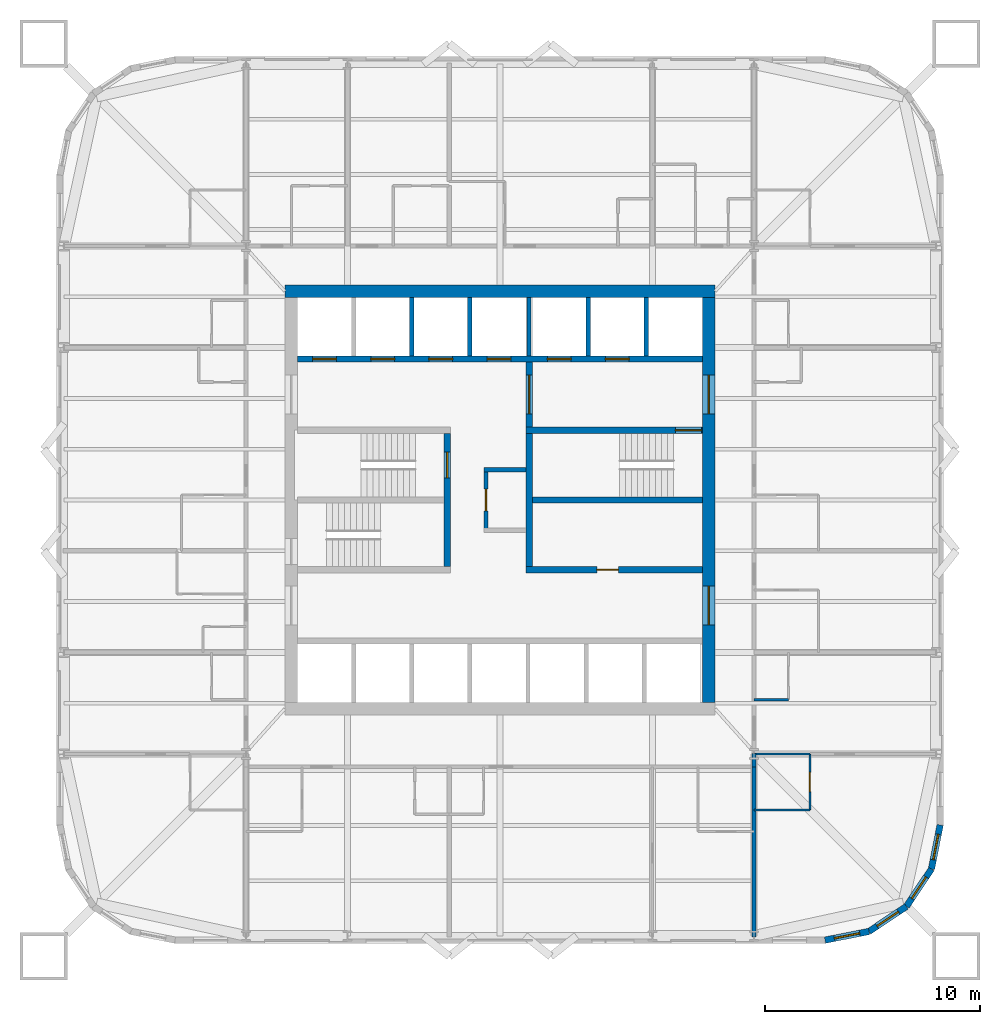
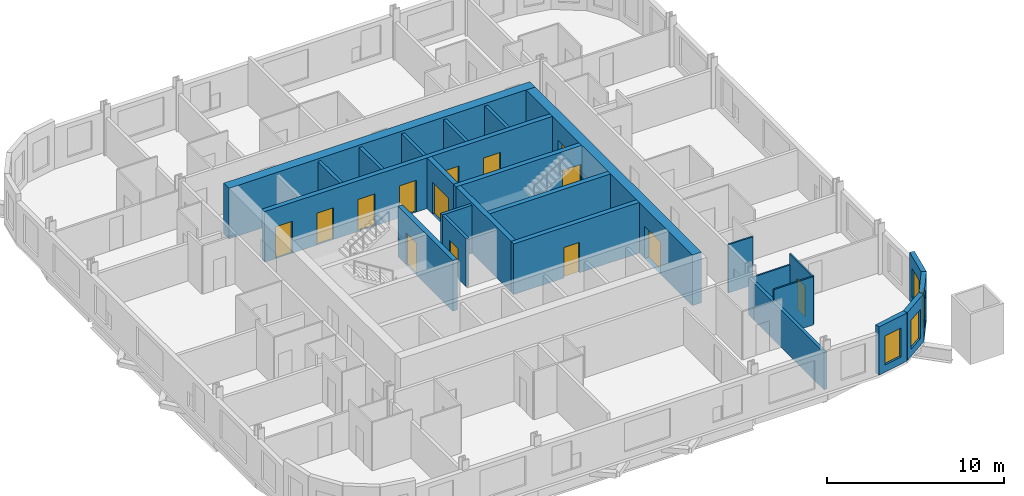
# One storey, part 5 of 9: 25 walls, 14 doors, 4 windows, 18 openings.
"""IFC4 building model written with IfcOpenShell, lengths in metres."""

import ifcopenshell
import ifcopenshell.guid

model = None  # the IFC model being written
_history = None  # IfcOwnerHistory: only IFC2X3 demands one
_inside = {}  # id of a spatial element -> (the spatial element, [elements in it])
_under = {}  # id of a project, library or spatial element -> (it, [spatial elements below it])
_declared = {}  # id of a project -> (the project, [libraries it declares])
_typed = {}  # id of a type object -> (the type object, [elements of that type])
_made_of = {}  # id of a material, layer set ... -> (it, [elements and type objects made of it])


def new_model(schema):
    """Start an empty IFC model of exactly this schema.

    Asked for "IFC4X3", IfcOpenShell would pick the latest addendum, in which some entities
    have other attributes; the version numbers below select the first issue.
    IFC2X3 requires an IfcOwnerHistory on every rooted entity: one is made here for all.
    """
    global model, _history
    if schema == "IFC4X3":
        model = ifcopenshell.file(schema_version=(4, 3, 0, 0))
    else:
        model = ifcopenshell.file(schema=schema)
    _inside.clear()
    _under.clear()
    _declared.clear()
    _typed.clear()
    _made_of.clear()
    _history = None
    if model.schema == "IFC2X3":
        org = make("IfcOrganization", Name="unknown")
        user = make(
            "IfcPersonAndOrganization",
            ThePerson=make("IfcPerson", FamilyName="unknown"),
            TheOrganization=org,
        )
        app = make(
            "IfcApplication",
            ApplicationDeveloper=org,
            Version="unknown",
            ApplicationFullName="unknown",
            ApplicationIdentifier="unknown",
        )
        _history = make(
            "IfcOwnerHistory",
            OwningUser=user,
            OwningApplication=app,
            ChangeAction="ADDED",
            CreationDate=0,
        )
    return model


def make(cls, **values):
    """One entity of the class cls with the attributes given. An attribute that is None is left unset."""
    return model.create_entity(
        cls, **{name: value for name, value in values.items() if value is not None}
    )


def rooted(cls, **values):
    """An entity with a GlobalId (a new one), such as an element, a storey or a relation."""
    return make(cls, GlobalId=ifcopenshell.guid.new(), OwnerHistory=_history, **values)


def si_unit(unit_type, name, prefix=None):
    """IfcSIUnit, for example si_unit("LENGTHUNIT", "METRE", prefix="MILLI")."""
    return make("IfcSIUnit", UnitType=unit_type, Prefix=prefix, Name=name)


def assignment(units):
    """IfcUnitAssignment: the units of a project."""
    return None if units is None else make("IfcUnitAssignment", Units=units)


def point(xyz):
    """IfcCartesianPoint."""
    return None if xyz is None else make("IfcCartesianPoint", Coordinates=xyz)


def direction(xyz):
    """IfcDirection."""
    return None if xyz is None else make("IfcDirection", DirectionRatios=xyz)


def frame(location, z_axis=None, x_axis=None):
    """IfcAxis2Placement3D, a coordinate frame: its origin and axes. An axis left out is left unset."""
    return make(
        "IfcAxis2Placement3D",
        Location=point(location),
        Axis=direction(z_axis),
        RefDirection=direction(x_axis),
    )


def frame_2d(location, x_axis=None):
    """IfcAxis2Placement2D, a coordinate frame in the plane: its origin and x axis."""
    return make(
        "IfcAxis2Placement2D", Location=point(location), RefDirection=direction(x_axis)
    )


def origin():
    """The frame at (0, 0, 0) with its axes left unset."""
    return frame((0.0, 0.0, 0.0))


def place(relative_to, where):
    """IfcLocalPlacement: puts the frame where relative to a parent placement (None: the world)."""
    return make(
        "IfcLocalPlacement", PlacementRelTo=relative_to, RelativePlacement=where
    )


def context(
    kind, dimensions, precision=None, world=None, true_north=None, identifier=None
):
    """IfcGeometricRepresentationContext, for example the 3D "Model" context."""
    return make(
        "IfcGeometricRepresentationContext",
        ContextIdentifier=identifier,
        ContextType=kind,
        CoordinateSpaceDimension=dimensions,
        Precision=precision,
        WorldCoordinateSystem=world,
        TrueNorth=true_north,
    )


def subcontext(parent, identifier, kind, view, scale=None):
    """IfcGeometricRepresentationSubContext, for example "Body" below "Model"."""
    return make(
        "IfcGeometricRepresentationSubContext",
        ContextIdentifier=identifier,
        ContextType=kind,
        ParentContext=parent,
        TargetScale=scale,
        TargetView=view,
    )


def project(units=None, contexts=None):
    """IfcProject with its units and contexts."""
    return rooted(
        "IfcProject",
        Name="project",
        RepresentationContexts=contexts,
        UnitsInContext=assignment(units),
    )


def spatial(cls, under=None, at=None, **own):
    """A site, building, storey or space (cls), placed at a placement, below another one or the project."""
    s = rooted(cls, ObjectPlacement=at, **own)
    if under is not None:
        _under.setdefault(under.id(), (under, []))[1].append(s)
    return s


def profile(cls, at=None, kind="AREA", **sizes):
    """A parametric profile (cls). Its sizes go by their IFC names, for example OverallWidth=200.0."""
    return make(cls, ProfileType=kind, Position=at, **sizes)


def rectangle(**sizes):
    """IfcRectangleProfileDef."""
    return profile("IfcRectangleProfileDef", **sizes)


def extrude(swept, where, along, depth):
    """IfcExtrudedAreaSolid: the profile swept, set in the frame where, extruded along a direction by depth."""
    return make(
        "IfcExtrudedAreaSolid",
        SweptArea=swept,
        Position=where,
        ExtrudedDirection=direction(along),
        Depth=depth,
    )


def shape(context_of_items, identifier, shape_type, items):
    """IfcShapeRepresentation: the items that make up one representation, for example the "Body"."""
    return make(
        "IfcShapeRepresentation",
        ContextOfItems=context_of_items,
        RepresentationIdentifier=identifier,
        RepresentationType=shape_type,
        Items=items,
    )


def material(Name=None, Category=None):
    """IfcMaterial."""
    return make("IfcMaterial", Name=Name, Category=Category)


def layer(
    of_material, thickness, ventilated=None, Name=None, Category=None, Priority=None
):
    """IfcMaterialLayer: one layer of a wall or slab, of a material (None: an air gap)."""
    return make(
        "IfcMaterialLayer",
        Material=of_material,
        LayerThickness=thickness,
        IsVentilated=ventilated,
        Name=Name,
        Category=Category,
        Priority=Priority,
    )


def layer_set(layers, Name=None):
    """IfcMaterialLayerSet."""
    return make("IfcMaterialLayerSet", MaterialLayers=layers, LayerSetName=Name)


def made_of(thing, what):
    """Note that an element or type object is made of a material, layer set ...; save() writes the relation."""
    if what is not None:
        _made_of.setdefault(what.id(), (what, []))[1].append(thing)
    return thing


def type_object(cls, material=None, **own):
    """A type object (cls), such as IfcWallType, which elements share."""
    return made_of(rooted(cls, **own), material)


def element(
    cls,
    number,
    at=None,
    inside=None,
    cuts=None,
    type_object=None,
    material=None,
    context=None,
    identifier="Body",
    shape_type=None,
    held_by="IfcProductDefinitionShape",
    body=None,
    shapes=None,
    **own,
):
    """One element of the class cls, such as IfcWall. Its Tag is "e" and its number.

    at: its placement. inside: the storey or other place that contains it. cuts: it is an
    opening in that element (IfcRelVoidsElement). A single representation is given by context,
    identifier, shape_type and body (its items); several are given by shapes. held_by: the class
    of the entity that holds the representations. save() writes the other relations.
    """
    e = rooted(cls, Tag="e%d" % number, ObjectPlacement=at, **own)
    if body is not None:
        shapes = [shape(context, identifier, shape_type, body)]
    if shapes is not None:
        e.Representation = make(held_by, Representations=shapes)
    if inside is not None:
        _inside.setdefault(inside.id(), (inside, []))[1].append(e)
    if cuts is not None:
        rooted(
            "IfcRelVoidsElement", RelatingBuildingElement=cuts, RelatedOpeningElement=e
        )
    if type_object is not None:
        _typed.setdefault(type_object.id(), (type_object, []))[1].append(e)
    return made_of(e, material)


def fill(opening, filler):
    """IfcRelFillsElement: the door or window that sits in an opening."""
    return rooted(
        "IfcRelFillsElement",
        RelatingOpeningElement=opening,
        RelatedBuildingElement=filler,
    )


def aggregate(whole, parts):
    """IfcRelAggregates: a whole, such as a stair, and the parts it consists of."""
    return rooted("IfcRelAggregates", RelatingObject=whole, RelatedObjects=parts)


def save(model, path):
    """Write the relations noted so far, then the file.

    IfcRelAggregates (storeys below a building ...), IfcRelContainedInSpatialStructure (elements
    in a storey), IfcRelDefinesByType, IfcRelAssociatesMaterial and IfcRelDeclares: one each for
    every whole, place, type object, material and project.
    """
    for whole, parts in _under.values():
        aggregate(whole, parts)
    for where, things in _inside.values():
        rooted(
            "IfcRelContainedInSpatialStructure",
            RelatedElements=things,
            RelatingStructure=where,
        )
    for kind, things in _typed.values():
        rooted("IfcRelDefinesByType", RelatedObjects=things, RelatingType=kind)
    for what, things in _made_of.values():
        rooted("IfcRelAssociatesMaterial", RelatedObjects=things, RelatingMaterial=what)
    for by, libraries in _declared.values():
        rooted("IfcRelDeclares", RelatingContext=by, RelatedDefinitions=libraries)
    model.write(path)


model = new_model("IFC4")

# Units and contexts
model_context = context("Model", 3, precision=1e-05, world=origin(), true_north=direction((0.0, 1.0)))
body_context = subcontext(model_context, "Body", "Model", "MODEL_VIEW")
ifc_project = project(units=[si_unit("LENGTHUNIT", "METRE"), si_unit("AREAUNIT", "SQUARE_METRE"), si_unit("VOLUMEUNIT", "CUBIC_METRE"), si_unit("PLANEANGLEUNIT", "RADIAN"), si_unit("MASSUNIT", "GRAM", prefix="KILO")], contexts=[model_context])

# Site, building, storey
site_placement = place(None, origin())
site = spatial("IfcSite", under=ifc_project, at=site_placement, CompositionType="ELEMENT")
building_placement = place(site_placement, origin())
building = spatial("IfcBuilding", under=site, at=building_placement, Name="Turquesa Mirador Hotel Tower", CompositionType="ELEMENT")
storey_placement = place(building_placement, frame((0.0, 0.0, 128.39990234375)))
storey = spatial("IfcBuildingStorey", under=building, at=storey_placement, Name="L34", CompositionType="ELEMENT", Elevation=128.39990234375)

# Walls
ifc_material_1 = material(Name="Gypsum board on steel studs", Category="steel")
ifc_layer_1 = layer(ifc_material_1, 0.10009765625)
ifc_layer_set_1 = layer_set([ifc_layer_1], Name="BATHROOM WALL 100")
wall_type_1 = type_object("IfcWallType", Name="BATHROOM WALL 100", PredefinedType="PARTITIONING", material=ifc_layer_set_1)
wall_1_placement = place(storey_placement, frame((66.800048828125, 33.199951171875, 0.0), z_axis=(0.0, 0.0, 1.0), x_axis=(1.0, 0.0, 0.0)))
element("IfcWall", 1, at=wall_1_placement, inside=storey, type_object=wall_type_1, Name="Partition L34 002", PredefinedType="PARTITIONING", context=body_context, shape_type="SweptSolid", body=[
    extrude(rectangle(XDim=2.599853515625, YDim=0.10009765625, at=frame_2d((1.2998046875, 0.0))), origin(), (0.0, 0.0, 1.0), 2.5732421875),
])
wall_2_placement = place(storey_placement, frame((66.800048828125, 30.60009765625, 0.0), z_axis=(0.0, 0.0, 1.0), x_axis=(1.0, 0.0, 0.0)))
element("IfcWall", 2, at=wall_2_placement, inside=storey, type_object=wall_type_1, Name="Partition L34 007", PredefinedType="PARTITIONING", context=body_context, shape_type="SweptSolid", body=[
    extrude(rectangle(XDim=2.599853515625, YDim=0.10009765625, at=frame_2d((1.2998046875, 0.0))), origin(), (0.0, 0.0, 1.0), 3.330078125),
])
wall_3_placement = place(storey_placement, frame((66.800048828125, 35.719970703125, 0.0), z_axis=(0.0, 0.0, 1.0), x_axis=(1.0, 0.0, 0.0)))
element("IfcWall", 3, at=wall_3_placement, inside=storey, type_object=wall_type_1, Name="Partition L34 021", PredefinedType="PARTITIONING", context=body_context, shape_type="SweptSolid", body=[
    extrude(rectangle(XDim=1.599853515625, YDim=0.10009765625, at=frame_2d((0.7998046875, 0.0))), origin(), (0.0, 0.0, 1.0), 3.330078125),
])

# Wall, opening, door
wall_4_placement = place(storey_placement, frame((69.39990234375, 30.60009765625, 0.0), z_axis=(0.0, 0.0, 1.0), x_axis=(0.0, 1.0, 0.0)))
wall_4 = element("IfcWall", 4, at=wall_4_placement, inside=storey, type_object=wall_type_1, Name="Partition L34 071", PredefinedType="PARTITIONING", context=body_context, shape_type="SweptSolid", body=[
    extrude(rectangle(XDim=2.599853515625, YDim=0.10009765625, at=frame_2d((1.2998046875, 0.0))), origin(), (0.0, 0.0, 1.0), 3.330078125),
])
opening_1_placement = place(wall_4_placement, frame((0.85009765625, 0.0, 0.0)))
opening_1 = element("IfcOpeningElement", 5, at=opening_1_placement, cuts=wall_4, Name="Opening D02", PredefinedType="OPENING", context=body_context, shape_type="SweptSolid", body=[
    extrude(rectangle(XDim=0.89990234375, YDim=2.10009765625, at=frame_2d((0.449951171875, 1.050048828125))), frame((0.0, 0.06005859375, 0.0), z_axis=(0.0, -1.0, 0.0), x_axis=(1.0, 0.0, 0.0)), (0.0, 0.0, 1.0), 0.1201171875),
])
ifc_material_2 = material(Name="Timber veneered door", Category="wood")
door_type_1 = type_object("IfcDoorType", Name="DOOR 900X2100 EN-SUITE", OperationType="SINGLE_SWING_RIGHT", PredefinedType="DOOR", material=ifc_material_2)
door_1_placement = place(opening_1_placement, origin())
door_1 = element("IfcDoor", 6, at=door_1_placement, inside=storey, type_object=door_type_1, Name="Door 3414B", OperationType="SINGLE_SWING_RIGHT", OverallHeight=2.10009765625, OverallWidth=0.89990234375, PredefinedType="DOOR", context=body_context, shape_type="SweptSolid", body=[
    extrude(rectangle(XDim=0.89990234375, YDim=2.10009765625, at=frame_2d((0.449951171875, 1.050048828125))), frame((0.0, 0.02490234375, 0.0), z_axis=(0.0, -1.0, 0.0), x_axis=(1.0, 0.0, 0.0)), (0.0, 0.0, 1.0), 0.050048828125),
])
fill(opening_1, door_1)

# Wall, openings, doors
ifc_material_3 = material(Name="Concrete C50/60", Category="concrete")
ifc_layer_2 = layer(ifc_material_3, 0.300048828125)
ifc_layer_set_2 = layer_set([ifc_layer_2], Name="CORE INNER WALL 300")
wall_type_2 = type_object("IfcWallType", Name="CORE INNER WALL 300", PredefinedType="SHEAR", material=ifc_layer_set_2)
wall_5_placement = place(storey_placement, frame((45.60009765625, 51.550048828125, 0.0), z_axis=(0.0, 0.0, 1.0), x_axis=(1.0, 0.0, 0.0)))
wall_5 = element("IfcWall", 7, at=wall_5_placement, inside=storey, type_object=wall_type_2, Name="Core wall NL", PredefinedType="SHEAR", context=body_context, shape_type="SweptSolid", body=[
    extrude(rectangle(XDim=18.7998046875, YDim=0.300048828125, at=frame_2d((9.39990234375, 0.0))), origin(), (0.0, 0.0, 1.0), 3.5),
])
opening_2_placement = place(wall_5_placement, frame((0.699951171875, 0.0, 0.0)))
opening_2 = element("IfcOpeningElement", 8, at=opening_2_placement, cuts=wall_5, Name="Opening LD", PredefinedType="OPENING", context=body_context, shape_type="SweptSolid", body=[
    extrude(rectangle(XDim=1.10009765625, YDim=2.199951171875, at=frame_2d((0.550048828125, 1.10009765625))), frame((0.0, 0.159912109375, 0.0), z_axis=(0.0, -1.0, 0.0), x_axis=(1.0, 0.0, 0.0)), (0.0, 0.0, 1.0), 0.320068359375),
])
opening_3_placement = place(wall_5_placement, frame((3.39990234375, 0.0, 0.0)))
opening_3 = element("IfcOpeningElement", 9, at=opening_3_placement, cuts=wall_5, Name="Opening LD", PredefinedType="OPENING", context=body_context, shape_type="SweptSolid", body=[
    extrude(rectangle(XDim=1.10009765625, YDim=2.199951171875, at=frame_2d((0.550048828125, 1.10009765625))), frame((0.0, 0.159912109375, 0.0), z_axis=(0.0, -1.0, 0.0), x_axis=(1.0, 0.0, 0.0)), (0.0, 0.0, 1.0), 0.320068359375),
])
opening_4_placement = place(wall_5_placement, frame((6.10009765625, 0.0, 0.0)))
opening_4 = element("IfcOpeningElement", 10, at=opening_4_placement, cuts=wall_5, Name="Opening LD", PredefinedType="OPENING", context=body_context, shape_type="SweptSolid", body=[
    extrude(rectangle(XDim=1.10009765625, YDim=2.199951171875, at=frame_2d((0.550048828125, 1.10009765625))), frame((0.0, 0.159912109375, 0.0), z_axis=(0.0, -1.0, 0.0), x_axis=(1.0, 0.0, 0.0)), (0.0, 0.0, 1.0), 0.320068359375),
])
opening_5_placement = place(wall_5_placement, frame((8.800048828125, 0.0, 0.0)))
opening_5 = element("IfcOpeningElement", 11, at=opening_5_placement, cuts=wall_5, Name="Opening LD", PredefinedType="OPENING", context=body_context, shape_type="SweptSolid", body=[
    extrude(rectangle(XDim=1.10009765625, YDim=2.199951171875, at=frame_2d((0.550048828125, 1.10009765625))), frame((0.0, 0.159912109375, 0.0), z_axis=(0.0, -1.0, 0.0), x_axis=(1.0, 0.0, 0.0)), (0.0, 0.0, 1.0), 0.320068359375),
])
opening_6_placement = place(wall_5_placement, frame((11.60009765625, 0.0, 0.0)))
opening_6 = element("IfcOpeningElement", 12, at=opening_6_placement, cuts=wall_5, Name="Opening LD", PredefinedType="OPENING", context=body_context, shape_type="SweptSolid", body=[
    extrude(rectangle(XDim=1.10009765625, YDim=2.199951171875, at=frame_2d((0.550048828125, 1.10009765625))), frame((0.0, 0.159912109375, 0.0), z_axis=(0.0, -1.0, 0.0), x_axis=(1.0, 0.0, 0.0)), (0.0, 0.0, 1.0), 0.320068359375),
])
opening_7_placement = place(wall_5_placement, frame((14.300048828125, 0.0, 0.0)))
opening_7 = element("IfcOpeningElement", 13, at=opening_7_placement, cuts=wall_5, Name="Opening LD", PredefinedType="OPENING", context=body_context, shape_type="SweptSolid", body=[
    extrude(rectangle(XDim=1.10009765625, YDim=2.199951171875, at=frame_2d((0.550048828125, 1.10009765625))), frame((0.0, 0.159912109375, 0.0), z_axis=(0.0, -1.0, 0.0), x_axis=(1.0, 0.0, 0.0)), (0.0, 0.0, 1.0), 0.320068359375),
])
ifc_material_4 = material(Name="Stainless steel lift landing door", Category="steel")
door_type_2 = type_object("IfcDoorType", Name="LIFT LANDING DOOR 1100X2200", OperationType="SLIDING_TO_LEFT", PredefinedType="DOOR", material=ifc_material_4)
door_2_placement = place(opening_2_placement, origin())
door_2 = element("IfcDoor", 14, at=door_2_placement, inside=storey, type_object=door_type_2, Name="Lift A1 landing door", OperationType="SLIDING_TO_LEFT", OverallHeight=2.199951171875, OverallWidth=1.10009765625, PredefinedType="DOOR", context=body_context, shape_type="SweptSolid", body=[
    extrude(rectangle(XDim=1.10009765625, YDim=2.199951171875, at=frame_2d((0.550048828125, 1.10009765625))), frame((0.0, 0.02490234375, 0.0), z_axis=(0.0, -1.0, 0.0), x_axis=(1.0, 0.0, 0.0)), (0.0, 0.0, 1.0), 0.050048828125),
])
fill(opening_2, door_2)
door_3_placement = place(opening_3_placement, origin())
door_3 = element("IfcDoor", 15, at=door_3_placement, inside=storey, type_object=door_type_2, Name="Lift A2 landing door", OperationType="SLIDING_TO_LEFT", OverallHeight=2.199951171875, OverallWidth=1.10009765625, PredefinedType="DOOR", context=body_context, shape_type="SweptSolid", body=[
    extrude(rectangle(XDim=1.10009765625, YDim=2.199951171875, at=frame_2d((0.550048828125, 1.10009765625))), frame((0.0, 0.02490234375, 0.0), z_axis=(0.0, -1.0, 0.0), x_axis=(1.0, 0.0, 0.0)), (0.0, 0.0, 1.0), 0.050048828125),
])
fill(opening_3, door_3)
door_4_placement = place(opening_4_placement, origin())
door_4 = element("IfcDoor", 16, at=door_4_placement, inside=storey, type_object=door_type_2, Name="Lift A3 landing door", OperationType="SLIDING_TO_LEFT", OverallHeight=2.199951171875, OverallWidth=1.10009765625, PredefinedType="DOOR", context=body_context, shape_type="SweptSolid", body=[
    extrude(rectangle(XDim=1.10009765625, YDim=2.199951171875, at=frame_2d((0.550048828125, 1.10009765625))), frame((0.0, 0.02490234375, 0.0), z_axis=(0.0, -1.0, 0.0), x_axis=(1.0, 0.0, 0.0)), (0.0, 0.0, 1.0), 0.050048828125),
])
fill(opening_4, door_4)
door_5_placement = place(opening_5_placement, origin())
door_5 = element("IfcDoor", 17, at=door_5_placement, inside=storey, type_object=door_type_2, Name="Lift A4 landing door", OperationType="SLIDING_TO_LEFT", OverallHeight=2.199951171875, OverallWidth=1.10009765625, PredefinedType="DOOR", context=body_context, shape_type="SweptSolid", body=[
    extrude(rectangle(XDim=1.10009765625, YDim=2.199951171875, at=frame_2d((0.550048828125, 1.10009765625))), frame((0.0, 0.02490234375, 0.0), z_axis=(0.0, -1.0, 0.0), x_axis=(1.0, 0.0, 0.0)), (0.0, 0.0, 1.0), 0.050048828125),
])
fill(opening_5, door_5)
door_6_placement = place(opening_6_placement, origin())
door_6 = element("IfcDoor", 18, at=door_6_placement, inside=storey, type_object=door_type_2, Name="Lift S1 landing door", OperationType="SLIDING_TO_LEFT", OverallHeight=2.199951171875, OverallWidth=1.10009765625, PredefinedType="DOOR", context=body_context, shape_type="SweptSolid", body=[
    extrude(rectangle(XDim=1.10009765625, YDim=2.199951171875, at=frame_2d((0.550048828125, 1.10009765625))), frame((0.0, 0.02490234375, 0.0), z_axis=(0.0, -1.0, 0.0), x_axis=(1.0, 0.0, 0.0)), (0.0, 0.0, 1.0), 0.050048828125),
])
fill(opening_6, door_6)
door_7_placement = place(opening_7_placement, origin())
door_7 = element("IfcDoor", 19, at=door_7_placement, inside=storey, type_object=door_type_2, Name="Lift S2 landing door", OperationType="SLIDING_TO_LEFT", OverallHeight=2.199951171875, OverallWidth=1.10009765625, PredefinedType="DOOR", context=body_context, shape_type="SweptSolid", body=[
    extrude(rectangle(XDim=1.10009765625, YDim=2.199951171875, at=frame_2d((0.550048828125, 1.10009765625))), frame((0.0, 0.02490234375, 0.0), z_axis=(0.0, -1.0, 0.0), x_axis=(1.0, 0.0, 0.0)), (0.0, 0.0, 1.0), 0.050048828125),
])
fill(opening_7, door_7)

# Wall, opening, door
wall_6_placement = place(storey_placement, frame((56.199951171875, 48.25, 0.0), z_axis=(0.0, 0.0, 1.0), x_axis=(1.0, 0.0, 0.0)))
wall_6 = element("IfcWall", 20, at=wall_6_placement, inside=storey, type_object=wall_type_2, Name="Core wall MN-E", PredefinedType="SHEAR", context=body_context, shape_type="SweptSolid", body=[
    extrude(rectangle(XDim=8.199951171875, YDim=0.300048828125, at=frame_2d((4.10009765625, 0.0))), origin(), (0.0, 0.0, 1.0), 3.5),
])
opening_8_placement = place(wall_6_placement, frame((6.949951171875, 0.0, 0.0)))
opening_8 = element("IfcOpeningElement", 21, at=opening_8_placement, cuts=wall_6, Name="Opening D03", PredefinedType="OPENING", context=body_context, shape_type="SweptSolid", body=[
    extrude(rectangle(XDim=1.199951171875, YDim=2.199951171875, at=frame_2d((0.60009765625, 1.10009765625))), frame((0.0, 0.159912109375, 0.0), z_axis=(0.0, -1.0, 0.0), x_axis=(1.0, 0.0, 0.0)), (0.0, 0.0, 1.0), 0.320068359375),
])
ifc_material_5 = material(Name="Steel fire door", Category="steel")
door_type_3 = type_object("IfcDoorType", Name="DOOR 1200X2200 STAIR", OperationType="SINGLE_SWING_LEFT", PredefinedType="DOOR", material=ifc_material_5)
door_8_placement = place(opening_8_placement, origin())
door_8 = element("IfcDoor", 22, at=door_8_placement, inside=storey, type_object=door_type_3, Name="Stair ST3 door", OperationType="SINGLE_SWING_LEFT", OverallHeight=2.199951171875, OverallWidth=1.199951171875, PredefinedType="DOOR", context=body_context, shape_type="SweptSolid", body=[
    extrude(rectangle(XDim=1.199951171875, YDim=2.199951171875, at=frame_2d((0.60009765625, 1.10009765625))), frame((0.0, 0.02490234375, 0.0), z_axis=(0.0, -1.0, 0.0), x_axis=(1.0, 0.0, 0.0)), (0.0, 0.0, 1.0), 0.050048828125),
])
fill(opening_8, door_8)

wall_7_placement = place(storey_placement, frame((56.199951171875, 41.75, 0.0), z_axis=(0.0, 0.0, 1.0), x_axis=(1.0, 0.0, 0.0)))
wall_7 = element("IfcWall", 23, at=wall_7_placement, inside=storey, type_object=wall_type_2, Name="Core wall MS-E", PredefinedType="SHEAR", context=body_context, shape_type="SweptSolid", body=[
    extrude(rectangle(XDim=8.199951171875, YDim=0.300048828125, at=frame_2d((4.10009765625, 0.0))), origin(), (0.0, 0.0, 1.0), 3.5),
])
opening_9_placement = place(wall_7_placement, frame((3.300048828125, 0.0, 0.0)))
opening_9 = element("IfcOpeningElement", 24, at=opening_9_placement, cuts=wall_7, Name="Opening D05", PredefinedType="OPENING", context=body_context, shape_type="SweptSolid", body=[
    extrude(rectangle(XDim=1.0, YDim=2.10009765625, at=frame_2d((0.5, 1.050048828125))), frame((0.0, 0.159912109375, 0.0), z_axis=(0.0, -1.0, 0.0), x_axis=(1.0, 0.0, 0.0)), (0.0, 0.0, 1.0), 0.320068359375),
])
ifc_material_6 = material(Name="Steel fire door", Category="steel")
door_type_4 = type_object("IfcDoorType", Name="DOOR 1000X2100 SERVICE", OperationType="SINGLE_SWING_LEFT", PredefinedType="DOOR", material=ifc_material_6)
door_9_placement = place(opening_9_placement, origin())
door_9 = element("IfcDoor", 25, at=door_9_placement, inside=storey, type_object=door_type_4, Name="Housekeeping room door", OperationType="SINGLE_SWING_LEFT", OverallHeight=2.10009765625, OverallWidth=1.0, PredefinedType="DOOR", context=body_context, shape_type="SweptSolid", body=[
    extrude(rectangle(XDim=1.0, YDim=2.10009765625, at=frame_2d((0.5, 1.050048828125))), frame((0.0, 0.02490234375, 0.0), z_axis=(0.0, -1.0, 0.0), x_axis=(1.0, 0.0, 0.0)), (0.0, 0.0, 1.0), 0.050048828125),
])
fill(opening_9, door_9)

wall_8_placement = place(storey_placement, frame((52.550048828125, 41.89990234375, 0.0), z_axis=(0.0, 0.0, 1.0), x_axis=(0.0, 1.0, 0.0)))
wall_8 = element("IfcWall", 26, at=wall_8_placement, inside=storey, type_object=wall_type_2, Name="Core wall PW", PredefinedType="SHEAR", context=body_context, shape_type="SweptSolid", body=[
    extrude(rectangle(XDim=6.2001953125, YDim=0.300048828125, at=frame_2d((3.10009765625, 0.0))), origin(), (0.0, 0.0, 1.0), 3.5),
])
opening_10_placement = place(wall_8_placement, frame((4.125, 0.0, 0.0)))
opening_10 = element("IfcOpeningElement", 27, at=opening_10_placement, cuts=wall_8, Name="Opening D03", PredefinedType="OPENING", context=body_context, shape_type="SweptSolid", body=[
    extrude(rectangle(XDim=1.199951171875, YDim=2.199951171875, at=frame_2d((0.60009765625, 1.10009765625))), frame((0.0, 0.159912109375, 0.0), z_axis=(0.0, -1.0, 0.0), x_axis=(1.0, 0.0, 0.0)), (0.0, 0.0, 1.0), 0.320068359375),
])
door_10_placement = place(opening_10_placement, origin())
door_10 = element("IfcDoor", 28, at=door_10_placement, inside=storey, type_object=door_type_3, Name="Stair ST1 door", OperationType="SINGLE_SWING_LEFT", OverallHeight=2.199951171875, OverallWidth=1.199951171875, PredefinedType="DOOR", context=body_context, shape_type="SweptSolid", body=[
    extrude(rectangle(XDim=1.199951171875, YDim=2.199951171875, at=frame_2d((0.60009765625, 1.10009765625))), frame((0.0, 0.02490234375, 0.0), z_axis=(0.0, -1.0, 0.0), x_axis=(1.0, 0.0, 0.0)), (0.0, 0.0, 1.0), 0.050048828125),
])
fill(opening_10, door_10)

wall_9_placement = place(storey_placement, frame((56.35009765625, 41.89990234375, 0.0), z_axis=(0.0, 0.0, 1.0), x_axis=(0.0, 1.0, 0.0)))
wall_9 = element("IfcWall", 29, at=wall_9_placement, inside=storey, type_object=wall_type_2, Name="Core wall PE", PredefinedType="SHEAR", context=body_context, shape_type="SweptSolid", body=[
    extrude(rectangle(XDim=9.5, YDim=0.300048828125, at=frame_2d((4.75, 0.0))), origin(), (0.0, 0.0, 1.0), 3.5),
])
opening_11_placement = place(wall_9_placement, frame((7.10009765625, 0.0, 0.0)))
opening_11 = element("IfcOpeningElement", 30, at=opening_11_placement, cuts=wall_9, Name="Opening D04", PredefinedType="OPENING", context=body_context, shape_type="SweptSolid", body=[
    extrude(rectangle(XDim=1.800048828125, YDim=2.199951171875, at=frame_2d((0.89990234375, 1.10009765625))), frame((0.0, 0.159912109375, 0.0), z_axis=(0.0, -1.0, 0.0), x_axis=(1.0, 0.0, 0.0)), (0.0, 0.0, 1.0), 0.320068359375),
])
ifc_material_7 = material(Name="Steel fire door pair", Category="steel")
door_type_5 = type_object("IfcDoorType", Name="DOOR 1800X2200 PAIR", OperationType="DOUBLE_DOOR_SINGLE_SWING", PredefinedType="DOOR", material=ifc_material_7)
door_11_placement = place(opening_11_placement, origin())
door_11 = element("IfcDoor", 31, at=door_11_placement, inside=storey, type_object=door_type_5, Name="Firefighting lobby inner door", OperationType="DOUBLE_DOOR_SINGLE_SWING", OverallHeight=2.199951171875, OverallWidth=1.800048828125, PredefinedType="DOOR", context=body_context, shape_type="SweptSolid", body=[
    extrude(rectangle(XDim=1.800048828125, YDim=2.199951171875, at=frame_2d((0.89990234375, 1.10009765625))), frame((0.0, 0.02490234375, 0.0), z_axis=(0.0, -1.0, 0.0), x_axis=(1.0, 0.0, 0.0)), (0.0, 0.0, 1.0), 0.050048828125),
])
fill(opening_11, door_11)

# Walls
wall_10_placement = place(storey_placement, frame((56.5, 45.0, 0.0), z_axis=(0.0, 0.0, 1.0), x_axis=(1.0, 0.0, 0.0)))
element("IfcWall", 32, at=wall_10_placement, inside=storey, type_object=wall_type_2, Name="Core wall M0-E", PredefinedType="SHEAR", context=body_context, shape_type="SweptSolid", body=[
    extrude(rectangle(XDim=7.89990234375, YDim=0.300048828125, at=frame_2d((3.949951171875, 0.0))), origin(), (0.0, 0.0, 1.0), 3.5),
])
ifc_material_8 = material(Name="Concrete C50/60", Category="concrete")
ifc_layer_3 = layer(ifc_material_8, 0.60009765625)
ifc_layer_set_3 = layer_set([ifc_layer_3], Name="CORE WALL 600")
wall_type_3 = type_object("IfcWallType", Name="CORE WALL 600", PredefinedType="SHEAR", material=ifc_layer_set_3)
wall_11_placement = place(storey_placement, frame((45.0, 54.699951171875, 0.0), z_axis=(0.0, 0.0, 1.0), x_axis=(1.0, 0.0, 0.0)))
element("IfcWall", 33, at=wall_11_placement, inside=storey, type_object=wall_type_3, Name="Core wall N", PredefinedType="SHEAR", context=body_context, shape_type="SweptSolid", body=[
    extrude(rectangle(XDim=20.0, YDim=0.60009765625, at=frame_2d((10.0, 0.0))), origin(), (0.0, 0.0, 1.0), 3.5),
])

# Wall, openings, doors
wall_12_placement = place(storey_placement, frame((64.699951171875, 35.60009765625, 0.0), z_axis=(0.0, 0.0, 1.0), x_axis=(0.0, 1.0, 0.0)))
wall_12 = element("IfcWall", 34, at=wall_12_placement, inside=storey, type_object=wall_type_3, Name="Core wall E", PredefinedType="SHEAR", context=body_context, shape_type="SweptSolid", body=[
    extrude(rectangle(XDim=18.7998046875, YDim=0.60009765625, at=frame_2d((9.39990234375, 0.0))), origin(), (0.0, 0.0, 1.0), 3.5),
])
opening_12_placement = place(wall_12_placement, frame((13.39990234375, 0.0, 0.0)))
opening_12 = element("IfcOpeningElement", 35, at=opening_12_placement, cuts=wall_12, Name="Opening D04", PredefinedType="OPENING", context=body_context, shape_type="SweptSolid", body=[
    extrude(rectangle(XDim=1.800048828125, YDim=2.199951171875, at=frame_2d((0.89990234375, 1.10009765625))), frame((0.0, 0.31005859375, 0.0), z_axis=(0.0, -1.0, 0.0), x_axis=(1.0, 0.0, 0.0)), (0.0, 0.0, 1.0), 0.6201171875),
])
opening_13_placement = place(wall_12_placement, frame((3.60009765625, 0.0, 0.0)))
opening_13 = element("IfcOpeningElement", 36, at=opening_13_placement, cuts=wall_12, Name="Opening D04", PredefinedType="OPENING", context=body_context, shape_type="SweptSolid", body=[
    extrude(rectangle(XDim=1.800048828125, YDim=2.199951171875, at=frame_2d((0.89990234375, 1.10009765625))), frame((0.0, 0.31005859375, 0.0), z_axis=(0.0, -1.0, 0.0), x_axis=(1.0, 0.0, 0.0)), (0.0, 0.0, 1.0), 0.6201171875),
])
door_12_placement = place(opening_12_placement, origin())
door_12 = element("IfcDoor", 37, at=door_12_placement, inside=storey, type_object=door_type_5, Name="Firefighting lobby door", OperationType="DOUBLE_DOOR_SINGLE_SWING", OverallHeight=2.199951171875, OverallWidth=1.800048828125, PredefinedType="DOOR", context=body_context, shape_type="SweptSolid", body=[
    extrude(rectangle(XDim=1.800048828125, YDim=2.199951171875, at=frame_2d((0.89990234375, 1.10009765625))), frame((0.0, 0.02490234375, 0.0), z_axis=(0.0, -1.0, 0.0), x_axis=(1.0, 0.0, 0.0)), (0.0, 0.0, 1.0), 0.050048828125),
])
fill(opening_12, door_12)
door_13_placement = place(opening_13_placement, origin())
door_13 = element("IfcDoor", 38, at=door_13_placement, inside=storey, type_object=door_type_5, Name="South lift lobby door", OperationType="DOUBLE_DOOR_SINGLE_SWING", OverallHeight=2.199951171875, OverallWidth=1.800048828125, PredefinedType="DOOR", context=body_context, shape_type="SweptSolid", body=[
    extrude(rectangle(XDim=1.800048828125, YDim=2.199951171875, at=frame_2d((0.89990234375, 1.10009765625))), frame((0.0, 0.02490234375, 0.0), z_axis=(0.0, -1.0, 0.0), x_axis=(1.0, 0.0, 0.0)), (0.0, 0.0, 1.0), 0.050048828125),
])
fill(opening_13, door_13)

# Wall
ifc_material_9 = material(Name="Fire-rated gypsum board on steel studs", Category="steel")
ifc_layer_4 = layer(ifc_material_9, 0.199951171875)
ifc_layer_set_4 = layer_set([ifc_layer_4], Name="CORRIDOR WALL 200")
wall_type_4 = type_object("IfcWallType", Name="CORRIDOR WALL 200", PredefinedType="PARTITIONING", material=ifc_layer_set_4)
wall_13_placement = place(storey_placement, frame((66.800048828125, 32.60009765625, 0.0), z_axis=(0.0, 0.0, 1.0), x_axis=(0.0, 1.0, 0.0)))
element("IfcWall", 39, at=wall_13_placement, inside=storey, type_object=wall_type_4, Name="Partition L34 081", PredefinedType="PARTITIONING", context=body_context, shape_type="SweptSolid", body=[
    extrude(rectangle(XDim=0.619873046875, YDim=0.199951171875, at=frame_2d((0.31005859375, 0.0))), origin(), (0.0, 0.0, 1.0), 2.5732421875),
])

# Wall, opening, window
ifc_material_10 = material(Name="Limestone cladding on concrete block", Category="masonry")
ifc_layer_5 = layer(ifc_material_10, 0.300048828125)
ifc_layer_set_5 = layer_set([ifc_layer_5], Name="FACADE WALL 300 STONE SCREEN")
wall_type_5 = type_object("IfcWallType", Name="FACADE WALL 300 STONE SCREEN", PredefinedType="SOLIDWALL", material=ifc_layer_set_5)
wall_14_placement = place(storey_placement, frame((70.10009765625, 24.550048828125, 0.0), z_axis=(0.0, 0.0, 1.0), x_axis=(0.980787050784, 0.195081421501, 0.0)))
wall_14 = element("IfcWall", 40, at=wall_14_placement, inside=storey, type_object=wall_type_5, Name="Facade wall L34 00", PredefinedType="SOLIDWALL", context=body_context, shape_type="SweptSolid", body=[
    extrude(rectangle(XDim=2.08740234375, YDim=0.300048828125, at=frame_2d((1.043701171875, 0.0))), origin(), (0.0, 0.0, 1.0), 3.330078125),
])
opening_14_placement = place(wall_14_placement, frame((0.443603515625, 0.0, 0.5)))
opening_14 = element("IfcOpeningElement", 41, at=opening_14_placement, cuts=wall_14, Name="Opening WN4", PredefinedType="OPENING", context=body_context, shape_type="SweptSolid", body=[
    extrude(rectangle(XDim=1.199951171875, YDim=2.0, at=frame_2d((0.60009765625, 1.0))), frame((0.0, 0.159912109375, 0.0), z_axis=(0.0, -1.0, 0.0), x_axis=(1.0, 0.0, 0.0)), (0.0, 0.0, 1.0), 0.320068359375),
])
ifc_material_11 = material(Name="Ceramic-fritted laminated glass", Category="glass")
window_type = type_object("IfcWindowType", Name="FRITTED CORNER WINDOW 1200X2000", PartitioningType="DOUBLE_PANEL_HORIZONTAL", PredefinedType="WINDOW", material=ifc_material_11)
window_1_placement = place(opening_14_placement, origin())
window_1 = element("IfcWindow", 42, at=window_1_placement, inside=storey, type_object=window_type, Name="Window L34", OverallHeight=2.0, OverallWidth=1.199951171875, PartitioningType="SINGLE_PANEL", PredefinedType="WINDOW", context=body_context, shape_type="SweptSolid", body=[
    extrude(rectangle(XDim=1.199951171875, YDim=2.0, at=frame_2d((0.60009765625, 1.0))), frame((0.0, 0.030029296875, 0.0), z_axis=(0.0, -1.0, 0.0), x_axis=(1.0, 0.0, 0.0)), (0.0, 0.0, 1.0), 0.06005859375),
])
fill(opening_14, window_1)

wall_15_placement = place(storey_placement, frame((72.1474609375, 24.957275390625, 0.0), z_axis=(0.0, 0.0, 1.0), x_axis=(0.831474039234, 0.555563607591, 0.0)))
wall_15 = element("IfcWall", 43, at=wall_15_placement, inside=storey, type_object=wall_type_5, Name="Facade wall L34 01", PredefinedType="SOLIDWALL", context=body_context, shape_type="SweptSolid", body=[
    extrude(rectangle(XDim=2.08740234375, YDim=0.300048828125, at=frame_2d((1.043701171875, 0.0))), origin(), (0.0, 0.0, 1.0), 3.330078125),
])
opening_15_placement = place(wall_15_placement, frame((0.443603515625, 0.0, 0.5)))
opening_15 = element("IfcOpeningElement", 44, at=opening_15_placement, cuts=wall_15, Name="Opening WN4", PredefinedType="OPENING", context=body_context, shape_type="SweptSolid", body=[
    extrude(rectangle(XDim=1.199951171875, YDim=2.0, at=frame_2d((0.60009765625, 1.0))), frame((0.0, 0.159912109375, 0.0), z_axis=(0.0, -1.0, 0.0), x_axis=(1.0, 0.0, 0.0)), (0.0, 0.0, 1.0), 0.320068359375),
])
window_2_placement = place(opening_15_placement, origin())
window_2 = element("IfcWindow", 45, at=window_2_placement, inside=storey, type_object=window_type, Name="Window L34", OverallHeight=2.0, OverallWidth=1.199951171875, PartitioningType="SINGLE_PANEL", PredefinedType="WINDOW", context=body_context, shape_type="SweptSolid", body=[
    extrude(rectangle(XDim=1.199951171875, YDim=2.0, at=frame_2d((0.60009765625, 1.0))), frame((0.0, 0.030029296875, 0.0), z_axis=(0.0, -1.0, 0.0), x_axis=(1.0, 0.0, 0.0)), (0.0, 0.0, 1.0), 0.06005859375),
])
fill(opening_15, window_2)

wall_16_placement = place(storey_placement, frame((73.883056640625, 26.116943359375, 0.0), z_axis=(0.0, 0.0, 1.0), x_axis=(0.555563607591, 0.831474039234, 0.0)))
wall_16 = element("IfcWall", 46, at=wall_16_placement, inside=storey, type_object=wall_type_5, Name="Facade wall L34 02", PredefinedType="SOLIDWALL", context=body_context, shape_type="SweptSolid", body=[
    extrude(rectangle(XDim=2.08740234375, YDim=0.300048828125, at=frame_2d((1.043701171875, 0.0))), origin(), (0.0, 0.0, 1.0), 3.330078125),
])
opening_16_placement = place(wall_16_placement, frame((0.443603515625, 0.0, 0.5)))
opening_16 = element("IfcOpeningElement", 47, at=opening_16_placement, cuts=wall_16, Name="Opening WN4", PredefinedType="OPENING", context=body_context, shape_type="SweptSolid", body=[
    extrude(rectangle(XDim=1.199951171875, YDim=2.0, at=frame_2d((0.60009765625, 1.0))), frame((0.0, 0.159912109375, 0.0), z_axis=(0.0, -1.0, 0.0), x_axis=(1.0, 0.0, 0.0)), (0.0, 0.0, 1.0), 0.320068359375),
])
window_3_placement = place(opening_16_placement, origin())
window_3 = element("IfcWindow", 48, at=window_3_placement, inside=storey, type_object=window_type, Name="Window L34", OverallHeight=2.0, OverallWidth=1.199951171875, PartitioningType="SINGLE_PANEL", PredefinedType="WINDOW", context=body_context, shape_type="SweptSolid", body=[
    extrude(rectangle(XDim=1.199951171875, YDim=2.0, at=frame_2d((0.60009765625, 1.0))), frame((0.0, 0.030029296875, 0.0), z_axis=(0.0, -1.0, 0.0), x_axis=(1.0, 0.0, 0.0)), (0.0, 0.0, 1.0), 0.06005859375),
])
fill(opening_16, window_3)

wall_17_placement = place(storey_placement, frame((75.042724609375, 27.8525390625, 0.0), z_axis=(0.0, 0.0, 1.0), x_axis=(0.195081421501, 0.980787050784, 0.0)))
wall_17 = element("IfcWall", 49, at=wall_17_placement, inside=storey, type_object=wall_type_5, Name="Facade wall L34 03", PredefinedType="SOLIDWALL", context=body_context, shape_type="SweptSolid", body=[
    extrude(rectangle(XDim=2.08740234375, YDim=0.300048828125, at=frame_2d((1.043701171875, 0.0))), origin(), (0.0, 0.0, 1.0), 3.330078125),
])
opening_17_placement = place(wall_17_placement, frame((0.443603515625, 0.0, 0.5)))
opening_17 = element("IfcOpeningElement", 50, at=opening_17_placement, cuts=wall_17, Name="Opening WN4", PredefinedType="OPENING", context=body_context, shape_type="SweptSolid", body=[
    extrude(rectangle(XDim=1.199951171875, YDim=2.0, at=frame_2d((0.60009765625, 1.0))), frame((0.0, 0.159912109375, 0.0), z_axis=(0.0, -1.0, 0.0), x_axis=(1.0, 0.0, 0.0)), (0.0, 0.0, 1.0), 0.320068359375),
])
window_4_placement = place(opening_17_placement, origin())
window_4 = element("IfcWindow", 51, at=window_4_placement, inside=storey, type_object=window_type, Name="Window L34", OverallHeight=2.0, OverallWidth=1.199951171875, PartitioningType="SINGLE_PANEL", PredefinedType="WINDOW", context=body_context, shape_type="SweptSolid", body=[
    extrude(rectangle(XDim=1.199951171875, YDim=2.0, at=frame_2d((0.60009765625, 1.0))), frame((0.0, 0.030029296875, 0.0), z_axis=(0.0, -1.0, 0.0), x_axis=(1.0, 0.0, 0.0)), (0.0, 0.0, 1.0), 0.06005859375),
])
fill(opening_17, window_4)

# Wall, opening, door
ifc_material_12 = material(Name="Fire-rated gypsum board on steel studs", Category="steel")
ifc_layer_6 = layer(ifc_material_12, 0.199951171875)
ifc_layer_set_6 = layer_set([ifc_layer_6], Name="FIRE PARTITION 200")
wall_type_6 = type_object("IfcWallType", Name="FIRE PARTITION 200", PredefinedType="PARTITIONING", material=ifc_layer_set_6)
wall_18_placement = place(storey_placement, frame((54.35009765625, 43.60009765625, 0.0), z_axis=(0.0, 0.0, 1.0), x_axis=(0.0, 1.0, 0.0)))
wall_18 = element("IfcWall", 52, at=wall_18_placement, inside=storey, type_object=wall_type_6, Name="Partition L34 VD W", PredefinedType="PARTITIONING", context=body_context, shape_type="SweptSolid", body=[
    extrude(rectangle(XDim=2.7998046875, YDim=0.199951171875, at=frame_2d((1.39990234375, 0.0))), origin(), (0.0, 0.0, 1.0), 3.330078125),
])
opening_18_placement = place(wall_18_placement, frame((0.89990234375, 0.0, 0.0)))
opening_18 = element("IfcOpeningElement", 53, at=opening_18_placement, cuts=wall_18, Name="Opening D05", PredefinedType="OPENING", context=body_context, shape_type="SweptSolid", body=[
    extrude(rectangle(XDim=1.0, YDim=2.10009765625, at=frame_2d((0.5, 1.050048828125))), frame((0.0, 0.10986328125, 0.0), z_axis=(0.0, -1.0, 0.0), x_axis=(1.0, 0.0, 0.0)), (0.0, 0.0, 1.0), 0.219970703125),
])
door_14_placement = place(opening_18_placement, origin())
door_14 = element("IfcDoor", 54, at=door_14_placement, inside=storey, type_object=door_type_4, Name="Ice and vending room door", OperationType="SINGLE_SWING_LEFT", OverallHeight=2.10009765625, OverallWidth=1.0, PredefinedType="DOOR", context=body_context, shape_type="SweptSolid", body=[
    extrude(rectangle(XDim=1.0, YDim=2.10009765625, at=frame_2d((0.5, 1.050048828125))), frame((0.0, 0.02490234375, 0.0), z_axis=(0.0, -1.0, 0.0), x_axis=(1.0, 0.0, 0.0)), (0.0, 0.0, 1.0), 0.050048828125),
])
fill(opening_18, door_14)

# Walls
wall_19_placement = place(storey_placement, frame((54.25, 46.39990234375, 0.0), z_axis=(0.0, 0.0, 1.0), x_axis=(1.0, 0.0, 0.0)))
element("IfcWall", 55, at=wall_19_placement, inside=storey, type_object=wall_type_6, Name="Partition L34 VD N", PredefinedType="PARTITIONING", context=body_context, shape_type="SweptSolid", body=[
    extrude(rectangle(XDim=1.949951171875, YDim=0.199951171875, at=frame_2d((0.97509765625, 0.0))), origin(), (0.0, 0.0, 1.0), 3.330078125),
])
ifc_material_13 = material(Name="Fire-rated gypsum shaft wall on steel studs", Category="steel")
ifc_layer_7 = layer(ifc_material_13, 0.199951171875)
ifc_layer_set_7 = layer_set([ifc_layer_7], Name="LIFT SHAFT DIVIDER 200")
wall_type_7 = type_object("IfcWallType", Name="LIFT SHAFT DIVIDER 200", PredefinedType="PARTITIONING", material=ifc_layer_set_7)
for number, where, z_axis, x_axis, name in (
    (56, (50.89990234375, 51.699951171875, 0.0), (0.0, 0.0, 1.0), (0.0, 1.0, 0.0), "Lift shaft divider"),
    (57, (53.60009765625, 51.699951171875, 0.0), (0.0, 0.0, 1.0), (0.0, 1.0, 0.0), "Lift shaft divider"),
    (58, (59.10009765625, 51.699951171875, 0.0), (0.0, 0.0, 1.0), (0.0, 1.0, 0.0), "Lift shaft divider"),
    (59, (61.800048828125, 51.699951171875, 0.0), (0.0, 0.0, 1.0), (0.0, 1.0, 0.0), "Lift shaft divider"),
    (60, (56.35009765625, 51.699951171875, 0.0), (0.0, 0.0, 1.0), (0.0, 1.0, 0.0), "Lift shaft divider"),
):
    element("IfcWall", number, at=place(storey_placement, frame(where, z_axis=z_axis, x_axis=x_axis)), inside=storey, type_object=wall_type_7, Name=name, PredefinedType="PARTITIONING", context=body_context, shape_type="SweptSolid", body=[
        extrude(rectangle(XDim=2.699951171875, YDim=0.199951171875, at=frame_2d((1.35009765625, 0.0))), origin(), (0.0, 0.0, 1.0), 3.330078125),
    ])
ifc_material_14 = material(Name="Fire-rated gypsum board on steel studs", Category="steel")
ifc_layer_8 = layer(ifc_material_14, 0.199951171875)
ifc_layer_set_8 = layer_set([ifc_layer_8], Name="PARTY WALL 200")
wall_type_8 = type_object("IfcWallType", Name="PARTY WALL 200", PredefinedType="PARTITIONING", material=ifc_layer_set_8)
wall_20_placement = place(storey_placement, frame((66.800048828125, 24.699951171875, 0.0), z_axis=(0.0, 0.0, 1.0), x_axis=(0.0, 1.0, 0.0)))
element("IfcWall", 61, at=wall_20_placement, inside=storey, type_object=wall_type_8, Name="Partition L34 066", PredefinedType="PARTITIONING", context=body_context, shape_type="SweptSolid", body=[
    extrude(rectangle(XDim=7.900146484375, YDim=0.199951171875, at=frame_2d((3.9501953125, 0.0))), origin(), (0.0, 0.0, 1.0), 2.5732421875),
])

save(model, "model.ifc")
